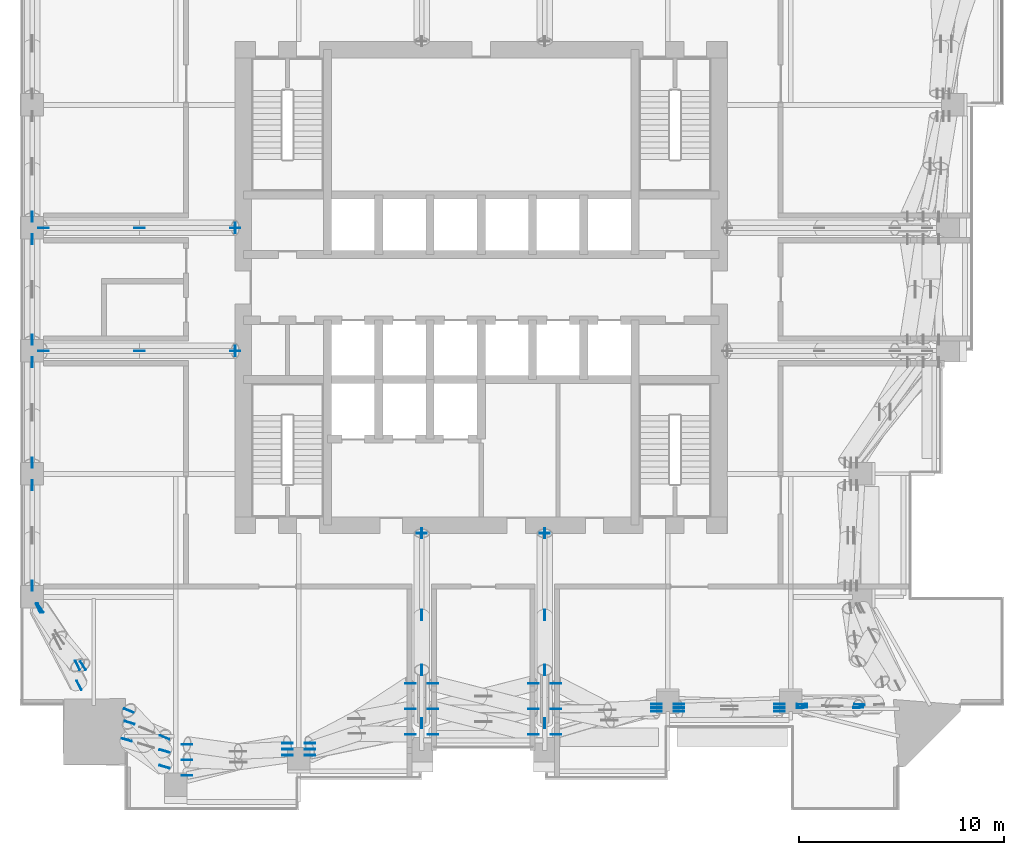
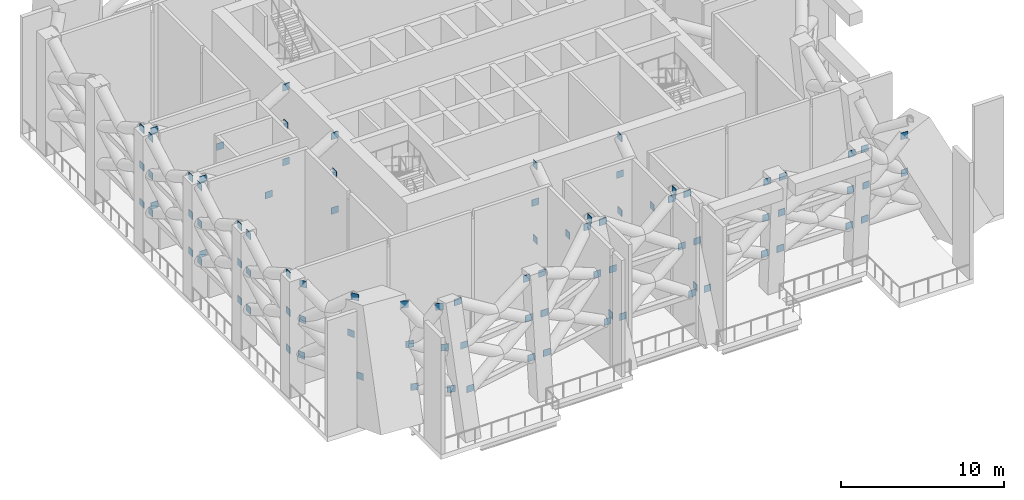
# One storey, part 12 of 19: 92 discrete accessories.
"""IFC4 building model written with IfcOpenShell, lengths in metres."""

import ifcopenshell
import ifcopenshell.guid

model = None  # the IFC model being written
_history = None  # IfcOwnerHistory: only IFC2X3 demands one
_inside = {}  # id of a spatial element -> (the spatial element, [elements in it])
_under = {}  # id of a project, library or spatial element -> (it, [spatial elements below it])
_declared = {}  # id of a project -> (the project, [libraries it declares])
_typed = {}  # id of a type object -> (the type object, [elements of that type])
_made_of = {}  # id of a material, layer set ... -> (it, [elements and type objects made of it])


def new_model(schema):
    """Start an empty IFC model of exactly this schema.

    Asked for "IFC4X3", IfcOpenShell would pick the latest addendum, in which some entities
    have other attributes; the version numbers below select the first issue.
    IFC2X3 requires an IfcOwnerHistory on every rooted entity: one is made here for all.
    """
    global model, _history
    if schema == "IFC4X3":
        model = ifcopenshell.file(schema_version=(4, 3, 0, 0))
    else:
        model = ifcopenshell.file(schema=schema)
    _inside.clear()
    _under.clear()
    _declared.clear()
    _typed.clear()
    _made_of.clear()
    _history = None
    if model.schema == "IFC2X3":
        org = make("IfcOrganization", Name="unknown")
        user = make(
            "IfcPersonAndOrganization",
            ThePerson=make("IfcPerson", FamilyName="unknown"),
            TheOrganization=org,
        )
        app = make(
            "IfcApplication",
            ApplicationDeveloper=org,
            Version="unknown",
            ApplicationFullName="unknown",
            ApplicationIdentifier="unknown",
        )
        _history = make(
            "IfcOwnerHistory",
            OwningUser=user,
            OwningApplication=app,
            ChangeAction="ADDED",
            CreationDate=0,
        )
    return model


def make(cls, **values):
    """One entity of the class cls with the attributes given. An attribute that is None is left unset."""
    return model.create_entity(
        cls, **{name: value for name, value in values.items() if value is not None}
    )


def rooted(cls, **values):
    """An entity with a GlobalId (a new one), such as an element, a storey or a relation."""
    return make(cls, GlobalId=ifcopenshell.guid.new(), OwnerHistory=_history, **values)


def si_unit(unit_type, name, prefix=None):
    """IfcSIUnit, for example si_unit("LENGTHUNIT", "METRE", prefix="MILLI")."""
    return make("IfcSIUnit", UnitType=unit_type, Prefix=prefix, Name=name)


def assignment(units):
    """IfcUnitAssignment: the units of a project."""
    return None if units is None else make("IfcUnitAssignment", Units=units)


def point(xyz):
    """IfcCartesianPoint."""
    return None if xyz is None else make("IfcCartesianPoint", Coordinates=xyz)


def direction(xyz):
    """IfcDirection."""
    return None if xyz is None else make("IfcDirection", DirectionRatios=xyz)


def frame(location, z_axis=None, x_axis=None):
    """IfcAxis2Placement3D, a coordinate frame: its origin and axes. An axis left out is left unset."""
    return make(
        "IfcAxis2Placement3D",
        Location=point(location),
        Axis=direction(z_axis),
        RefDirection=direction(x_axis),
    )


def frame_2d(location, x_axis=None):
    """IfcAxis2Placement2D, a coordinate frame in the plane: its origin and x axis."""
    return make(
        "IfcAxis2Placement2D", Location=point(location), RefDirection=direction(x_axis)
    )


def origin():
    """The frame at (0, 0, 0) with its axes left unset."""
    return frame((0.0, 0.0, 0.0))


def origin_2d():
    """The frame at (0, 0) in the plane with its x axis left unset."""
    return frame_2d((0.0, 0.0))


def place(relative_to, where):
    """IfcLocalPlacement: puts the frame where relative to a parent placement (None: the world)."""
    return make(
        "IfcLocalPlacement", PlacementRelTo=relative_to, RelativePlacement=where
    )


def context(
    kind, dimensions, precision=None, world=None, true_north=None, identifier=None
):
    """IfcGeometricRepresentationContext, for example the 3D "Model" context."""
    return make(
        "IfcGeometricRepresentationContext",
        ContextIdentifier=identifier,
        ContextType=kind,
        CoordinateSpaceDimension=dimensions,
        Precision=precision,
        WorldCoordinateSystem=world,
        TrueNorth=true_north,
    )


def subcontext(parent, identifier, kind, view, scale=None):
    """IfcGeometricRepresentationSubContext, for example "Body" below "Model"."""
    return make(
        "IfcGeometricRepresentationSubContext",
        ContextIdentifier=identifier,
        ContextType=kind,
        ParentContext=parent,
        TargetScale=scale,
        TargetView=view,
    )


def project(units=None, contexts=None):
    """IfcProject with its units and contexts."""
    return rooted(
        "IfcProject",
        Name="project",
        RepresentationContexts=contexts,
        UnitsInContext=assignment(units),
    )


def spatial(cls, under=None, at=None, **own):
    """A site, building, storey or space (cls), placed at a placement, below another one or the project."""
    s = rooted(cls, ObjectPlacement=at, **own)
    if under is not None:
        _under.setdefault(under.id(), (under, []))[1].append(s)
    return s


def profile(cls, at=None, kind="AREA", **sizes):
    """A parametric profile (cls). Its sizes go by their IFC names, for example OverallWidth=200.0."""
    return make(cls, ProfileType=kind, Position=at, **sizes)


def rectangle(**sizes):
    """IfcRectangleProfileDef."""
    return profile("IfcRectangleProfileDef", **sizes)


def extrude(swept, where, along, depth):
    """IfcExtrudedAreaSolid: the profile swept, set in the frame where, extruded along a direction by depth."""
    return make(
        "IfcExtrudedAreaSolid",
        SweptArea=swept,
        Position=where,
        ExtrudedDirection=direction(along),
        Depth=depth,
    )


def shape(context_of_items, identifier, shape_type, items):
    """IfcShapeRepresentation: the items that make up one representation, for example the "Body"."""
    return make(
        "IfcShapeRepresentation",
        ContextOfItems=context_of_items,
        RepresentationIdentifier=identifier,
        RepresentationType=shape_type,
        Items=items,
    )


def made_of(thing, what):
    """Note that an element or type object is made of a material, layer set ...; save() writes the relation."""
    if what is not None:
        _made_of.setdefault(what.id(), (what, []))[1].append(thing)
    return thing


def element(
    cls,
    number,
    at=None,
    inside=None,
    cuts=None,
    type_object=None,
    material=None,
    context=None,
    identifier="Body",
    shape_type=None,
    held_by="IfcProductDefinitionShape",
    body=None,
    shapes=None,
    **own,
):
    """One element of the class cls, such as IfcWall. Its Tag is "e" and its number.

    at: its placement. inside: the storey or other place that contains it. cuts: it is an
    opening in that element (IfcRelVoidsElement). A single representation is given by context,
    identifier, shape_type and body (its items); several are given by shapes. held_by: the class
    of the entity that holds the representations. save() writes the other relations.
    """
    e = rooted(cls, Tag="e%d" % number, ObjectPlacement=at, **own)
    if body is not None:
        shapes = [shape(context, identifier, shape_type, body)]
    if shapes is not None:
        e.Representation = make(held_by, Representations=shapes)
    if inside is not None:
        _inside.setdefault(inside.id(), (inside, []))[1].append(e)
    if cuts is not None:
        rooted(
            "IfcRelVoidsElement", RelatingBuildingElement=cuts, RelatedOpeningElement=e
        )
    if type_object is not None:
        _typed.setdefault(type_object.id(), (type_object, []))[1].append(e)
    return made_of(e, material)


def aggregate(whole, parts):
    """IfcRelAggregates: a whole, such as a stair, and the parts it consists of."""
    return rooted("IfcRelAggregates", RelatingObject=whole, RelatedObjects=parts)


def save(model, path):
    """Write the relations noted so far, then the file.

    IfcRelAggregates (storeys below a building ...), IfcRelContainedInSpatialStructure (elements
    in a storey), IfcRelDefinesByType, IfcRelAssociatesMaterial and IfcRelDeclares: one each for
    every whole, place, type object, material and project.
    """
    for whole, parts in _under.values():
        aggregate(whole, parts)
    for where, things in _inside.values():
        rooted(
            "IfcRelContainedInSpatialStructure",
            RelatedElements=things,
            RelatingStructure=where,
        )
    for kind, things in _typed.values():
        rooted("IfcRelDefinesByType", RelatedObjects=things, RelatingType=kind)
    for what, things in _made_of.values():
        rooted("IfcRelAssociatesMaterial", RelatedObjects=things, RelatingMaterial=what)
    for by, libraries in _declared.values():
        rooted("IfcRelDeclares", RelatingContext=by, RelatedDefinitions=libraries)
    model.write(path)


model = new_model("IFC4")

# Units and contexts
model_context = context("Model", 3, precision=1e-05, world=origin(), true_north=direction((0.0, 1.0)))
body_context = subcontext(model_context, "Body", "Model", "MODEL_VIEW")
ifc_project = project(units=[si_unit("LENGTHUNIT", "METRE"), si_unit("AREAUNIT", "SQUARE_METRE"), si_unit("VOLUMEUNIT", "CUBIC_METRE"), si_unit("PLANEANGLEUNIT", "RADIAN"), si_unit("MASSUNIT", "GRAM", prefix="KILO")], contexts=[model_context])

# Site, building, storey
site_placement = place(None, origin())
site = spatial("IfcSite", under=ifc_project, at=site_placement, CompositionType="ELEMENT")
building_placement = place(site_placement, origin())
building = spatial("IfcBuilding", under=site, at=building_placement, Name="Amberfall Residences", CompositionType="ELEMENT")
storey_placement = place(building_placement, frame((0.0, 0.0, 124.89990234375)))
storey = spatial("IfcBuildingStorey", under=building, at=storey_placement, Name="L34", CompositionType="ELEMENT", Elevation=124.89990234375)

# Discrete accessories
discrete_accessory_1_placement = place(storey_placement, frame((71.60009765625, 33.5, 5.4501953125), z_axis=(0.0, 0.0, 1.0), x_axis=(0.0, 1.0, 0.0)))
element("IfcDiscreteAccessory", 1, at=discrete_accessory_1_placement, inside=storey, Name="Cast-in plate L34", PredefinedType="BRACKET", context=body_context, shape_type="SweptSolid", body=[
    extrude(rectangle(XDim=0.0400390625, YDim=0.5, at=origin_2d()), origin(), (0.0, 0.0, 1.0), 0.5),
])
for number, where, z_axis, x_axis, name in (
    (2, (71.60009765625, 24.242919921875, 2.650146484375), (0.0, 0.0, 1.0), (0.0, 1.0, 0.0), "Connection plate L34"),
    (3, (71.60009765625, 29.520263671875, 5.4501953125), (0.0, 0.0, 1.0), (0.0, 1.0, 0.0), "Connection plate L34"),
    (4, (71.60009765625, 33.5, 2.650146484375), (0.0, 0.0, 1.0), (0.0, 1.0, 0.0), "Connection plate L34"),
    (5, (71.60009765625, 26.837890625, 8.25), (0.0, 0.0, 1.0), (0.0, 1.0, 0.0), "Connection plate L34"),
    (6, (71.60009765625, 33.5, 8.25), (0.0, 0.0, 1.0), (0.0, 1.0, 0.0), "Connection plate L34"),
):
    element("IfcDiscreteAccessory", number, at=place(storey_placement, frame(where, z_axis=z_axis, x_axis=x_axis)), inside=storey, Name=name, PredefinedType="BRACKET", context=body_context, shape_type="SweptSolid", body=[
        extrude(rectangle(XDim=0.5, YDim=0.0400390625, at=origin_2d()), origin(), (0.0, 0.0, 1.0), 0.5),
    ])
discrete_accessory_2_placement = place(storey_placement, frame((77.60009765625, 33.5, 5.4501953125), z_axis=(0.0, 0.0, 1.0), x_axis=(0.0, 1.0, 0.0)))
element("IfcDiscreteAccessory", 7, at=discrete_accessory_2_placement, inside=storey, Name="Cast-in plate L34", PredefinedType="BRACKET", context=body_context, shape_type="SweptSolid", body=[
    extrude(rectangle(XDim=0.0400390625, YDim=0.5, at=origin_2d()), origin(), (0.0, 0.0, 1.0), 0.5),
])
for number, where, z_axis, x_axis, name in (
    (8, (77.60009765625, 24.242919921875, 2.650146484375), (0.0, 0.0, 1.0), (0.0, 1.0, 0.0), "Connection plate L34"),
    (9, (77.60009765625, 29.520263671875, 5.4501953125), (0.0, 0.0, 1.0), (0.0, 1.0, 0.0), "Connection plate L34"),
    (10, (77.60009765625, 33.5, 2.650146484375), (0.0, 0.0, 1.0), (0.0, 1.0, 0.0), "Connection plate L34"),
    (11, (77.60009765625, 26.837890625, 8.25), (0.0, 0.0, 1.0), (0.0, 1.0, 0.0), "Connection plate L34"),
    (12, (77.60009765625, 33.5, 8.25), (0.0, 0.0, 1.0), (0.0, 1.0, 0.0), "Connection plate L34"),
):
    element("IfcDiscreteAccessory", number, at=place(storey_placement, frame(where, z_axis=z_axis, x_axis=x_axis)), inside=storey, Name=name, PredefinedType="BRACKET", context=body_context, shape_type="SweptSolid", body=[
        extrude(rectangle(XDim=0.5, YDim=0.0400390625, at=origin_2d()), origin(), (0.0, 0.0, 1.0), 0.5),
    ])
discrete_accessory_3_placement = place(storey_placement, frame((62.5, 42.39990234375, 5.4501953125), z_axis=(0.0, 0.0, 1.0), x_axis=(1.0, 0.0, 0.0)))
element("IfcDiscreteAccessory", 13, at=discrete_accessory_3_placement, inside=storey, Name="Cast-in plate L34", PredefinedType="BRACKET", context=body_context, shape_type="SweptSolid", body=[
    extrude(rectangle(XDim=0.0400390625, YDim=0.5, at=origin_2d()), origin(), (0.0, 0.0, 1.0), 0.5),
])
for number, where, z_axis, x_axis, name in (
    (14, (53.14990234375, 42.39990234375, 2.650146484375), (0.0, 0.0, 1.0), (1.0, 0.0, 0.0), "Connection plate L34"),
    (15, (57.824951171875, 42.39990234375, 5.4501953125), (0.0, 0.0, 1.0), (1.0, 0.0, 0.0), "Connection plate L34"),
    (16, (62.5, 42.39990234375, 2.650146484375), (0.0, 0.0, 1.0), (1.0, 0.0, 0.0), "Connection plate L34"),
    (17, (53.14990234375, 42.39990234375, 8.25), (0.0, 0.0, 1.0), (1.0, 0.0, 0.0), "Connection plate L34"),
    (18, (62.5, 42.39990234375, 8.25), (0.0, 0.0, 1.0), (1.0, 0.0, 0.0), "Connection plate L34"),
):
    element("IfcDiscreteAccessory", number, at=place(storey_placement, frame(where, z_axis=z_axis, x_axis=x_axis)), inside=storey, Name=name, PredefinedType="BRACKET", context=body_context, shape_type="SweptSolid", body=[
        extrude(rectangle(XDim=0.5, YDim=0.0400390625, at=origin_2d()), origin(), (0.0, 0.0, 1.0), 0.5),
    ])
discrete_accessory_4_placement = place(storey_placement, frame((62.5, 48.39990234375, 5.4501953125), z_axis=(0.0, 0.0, 1.0), x_axis=(1.0, 0.0, 0.0)))
element("IfcDiscreteAccessory", 19, at=discrete_accessory_4_placement, inside=storey, Name="Cast-in plate L34", PredefinedType="BRACKET", context=body_context, shape_type="SweptSolid", body=[
    extrude(rectangle(XDim=0.0400390625, YDim=0.5, at=origin_2d()), origin(), (0.0, 0.0, 1.0), 0.5),
])
for number, where, z_axis, x_axis, name in (
    (20, (53.14990234375, 48.39990234375, 2.650146484375), (0.0, 0.0, 1.0), (1.0, 0.0, 0.0), "Connection plate L34"),
    (21, (57.824951171875, 48.39990234375, 5.4501953125), (0.0, 0.0, 1.0), (1.0, 0.0, 0.0), "Connection plate L34"),
    (22, (62.5, 48.39990234375, 2.650146484375), (0.0, 0.0, 1.0), (1.0, 0.0, 0.0), "Connection plate L34"),
    (23, (53.14990234375, 48.39990234375, 8.25), (0.0, 0.0, 1.0), (1.0, 0.0, 0.0), "Connection plate L34"),
    (24, (62.5, 48.39990234375, 8.25), (0.0, 0.0, 1.0), (1.0, 0.0, 0.0), "Connection plate L34"),
    (25, (60.14990234375, 21.689697265625, 2.650146484375), (0.0, 0.0, 1.0), (1.0, 0.0, 0.0), "Connection plate L34"),
    (26, (65.050048828125, 22.96630859375, 5.4501953125), (0.0, 0.0, 1.0), (1.0, 0.0, 0.0), "Connection plate L34"),
    (27, (60.14990234375, 22.44677734375, 5.4501953125), (0.0, 0.0, 1.0), (1.0, 0.0, 0.0), "Connection plate L34"),
    (28, (65.050048828125, 22.678466796875, 2.650146484375), (0.0, 0.0, 1.0), (1.0, 0.0, 0.0), "Connection plate L34"),
    (29, (65.050048828125, 23.25439453125, 8.25), (0.0, 0.0, 1.0), (1.0, 0.0, 0.0), "Connection plate L34"),
    (30, (60.14990234375, 23.20361328125, 8.25), (0.0, 0.0, 1.0), (1.0, 0.0, 0.0), "Connection plate L34"),
    (31, (66.14990234375, 22.678466796875, 2.650146484375), (0.0, 0.0, 1.0), (1.0, 0.0, 0.0), "Connection plate L34"),
    (32, (71.050048828125, 24.93505859375, 5.4501953125), (0.0, 0.0, 1.0), (1.0, 0.0, 0.0), "Connection plate L34"),
    (33, (66.14990234375, 22.96630859375, 5.4501953125), (0.0, 0.0, 1.0), (1.0, 0.0, 0.0), "Connection plate L34"),
    (34, (71.050048828125, 23.69287109375, 2.650146484375), (0.0, 0.0, 1.0), (1.0, 0.0, 0.0), "Connection plate L34"),
    (35, (71.050048828125, 26.177001953125, 8.25), (0.0, 0.0, 1.0), (1.0, 0.0, 0.0), "Connection plate L34"),
    (36, (66.14990234375, 23.25439453125, 8.25), (0.0, 0.0, 1.0), (1.0, 0.0, 0.0), "Connection plate L34"),
    (37, (72.14990234375, 23.69287109375, 2.650146484375), (0.0, 0.0, 1.0), (1.0, 0.0, 0.0), "Connection plate L34"),
    (38, (77.050048828125, 24.93505859375, 5.4501953125), (0.0, 0.0, 1.0), (1.0, 0.0, 0.0), "Connection plate L34"),
    (39, (72.14990234375, 24.93505859375, 5.4501953125), (0.0, 0.0, 1.0), (1.0, 0.0, 0.0), "Connection plate L34"),
    (40, (77.050048828125, 23.69287109375, 2.650146484375), (0.0, 0.0, 1.0), (1.0, 0.0, 0.0), "Connection plate L34"),
    (41, (77.050048828125, 26.177001953125, 8.25), (0.0, 0.0, 1.0), (1.0, 0.0, 0.0), "Connection plate L34"),
    (42, (72.14990234375, 26.177001953125, 8.25), (0.0, 0.0, 1.0), (1.0, 0.0, 0.0), "Connection plate L34"),
    (43, (78.14990234375, 23.69287109375, 2.650146484375), (0.0, 0.0, 1.0), (1.0, 0.0, 0.0), "Connection plate L34"),
    (44, (83.050048828125, 24.99365234375, 5.4501953125), (0.0, 0.0, 1.0), (1.0, 0.0, 0.0), "Connection plate L34"),
    (45, (78.14990234375, 24.93505859375, 5.4501953125), (0.0, 0.0, 1.0), (1.0, 0.0, 0.0), "Connection plate L34"),
    (46, (83.050048828125, 25.159423828125, 2.650146484375), (0.0, 0.0, 1.0), (1.0, 0.0, 0.0), "Connection plate L34"),
    (47, (83.050048828125, 24.82763671875, 8.25), (0.0, 0.0, 1.0), (1.0, 0.0, 0.0), "Connection plate L34"),
    (48, (78.14990234375, 26.177001953125, 8.25), (0.0, 0.0, 1.0), (1.0, 0.0, 0.0), "Connection plate L34"),
    (49, (84.14990234375, 25.159423828125, 2.650146484375), (0.0, 0.0, 1.0), (1.0, 0.0, 0.0), "Connection plate L34"),
    (50, (89.050048828125, 24.99365234375, 5.4501953125), (0.0, 0.0, 1.0), (1.0, 0.0, 0.0), "Connection plate L34"),
    (51, (84.14990234375, 24.99365234375, 5.4501953125), (0.0, 0.0, 1.0), (1.0, 0.0, 0.0), "Connection plate L34"),
    (52, (89.050048828125, 25.159423828125, 2.650146484375), (0.0, 0.0, 1.0), (1.0, 0.0, 0.0), "Connection plate L34"),
    (53, (89.050048828125, 24.82763671875, 8.25), (0.0, 0.0, 1.0), (1.0, 0.0, 0.0), "Connection plate L34"),
    (54, (84.14990234375, 24.82763671875, 8.25), (0.0, 0.0, 1.0), (1.0, 0.0, 0.0), "Connection plate L34"),
    (55, (52.60009765625, 30.949951171875, 2.650146484375), (0.0, 0.0, 1.0), (0.0, 1.0, 0.0), "Connection plate L34"),
    (56, (52.60009765625, 35.85009765625, 5.4501953125), (0.0, 0.0, 1.0), (0.0, 1.0, 0.0), "Connection plate L34"),
    (57, (52.60009765625, 30.949951171875, 5.4501953125), (0.0, 0.0, 1.0), (0.0, 1.0, 0.0), "Connection plate L34"),
    (58, (52.60009765625, 35.85009765625, 2.650146484375), (0.0, 0.0, 1.0), (0.0, 1.0, 0.0), "Connection plate L34"),
    (59, (52.60009765625, 35.85009765625, 8.25), (0.0, 0.0, 1.0), (0.0, 1.0, 0.0), "Connection plate L34"),
    (60, (52.60009765625, 30.949951171875, 8.25), (0.0, 0.0, 1.0), (0.0, 1.0, 0.0), "Connection plate L34"),
    (61, (52.60009765625, 36.949951171875, 2.650146484375), (0.0, 0.0, 1.0), (0.0, 1.0, 0.0), "Connection plate L34"),
    (62, (52.60009765625, 41.85009765625, 5.4501953125), (0.0, 0.0, 1.0), (0.0, 1.0, 0.0), "Connection plate L34"),
    (63, (52.60009765625, 36.949951171875, 5.4501953125), (0.0, 0.0, 1.0), (0.0, 1.0, 0.0), "Connection plate L34"),
    (64, (52.60009765625, 41.85009765625, 2.650146484375), (0.0, 0.0, 1.0), (0.0, 1.0, 0.0), "Connection plate L34"),
    (65, (52.60009765625, 41.85009765625, 8.25), (0.0, 0.0, 1.0), (0.0, 1.0, 0.0), "Connection plate L34"),
    (66, (52.60009765625, 36.949951171875, 8.25), (0.0, 0.0, 1.0), (0.0, 1.0, 0.0), "Connection plate L34"),
    (67, (52.60009765625, 42.949951171875, 2.650146484375), (0.0, 0.0, 1.0), (0.0, 1.0, 0.0), "Connection plate L34"),
    (68, (52.60009765625, 47.85009765625, 5.4501953125), (0.0, 0.0, 1.0), (0.0, 1.0, 0.0), "Connection plate L34"),
    (69, (52.60009765625, 42.949951171875, 5.4501953125), (0.0, 0.0, 1.0), (0.0, 1.0, 0.0), "Connection plate L34"),
    (70, (52.60009765625, 47.85009765625, 2.650146484375), (0.0, 0.0, 1.0), (0.0, 1.0, 0.0), "Connection plate L34"),
    (71, (52.60009765625, 47.85009765625, 8.25), (0.0, 0.0, 1.0), (0.0, 1.0, 0.0), "Connection plate L34"),
    (72, (52.60009765625, 42.949951171875, 8.25), (0.0, 0.0, 1.0), (0.0, 1.0, 0.0), "Connection plate L34"),
    (73, (52.60009765625, 48.949951171875, 2.650146484375), (0.0, 0.0, 1.0), (0.0, 1.0, 0.0), "Connection plate L34"),
    (74, (52.60009765625, 48.949951171875, 5.4501953125), (0.0, 0.0, 1.0), (0.0, 1.0, 0.0), "Connection plate L34"),
    (75, (52.60009765625, 48.949951171875, 8.25), (0.0, 0.0, 1.0), (0.0, 1.0, 0.0), "Connection plate L34"),
    (76, (90.14990234375, 24.99658203125, 5.396484375), (0.0, 0.0, 1.0), (-0.99913448503, -0.041596644372, 0.0), "Connection plate L34"),
    (77, (92.887939453125, 24.99658203125, 5.396484375), (0.0, 0.0, 1.0), (-0.99913448503, -0.041596644372, 0.0), "Connection plate L34"),
    (78, (90.14990234375, 25.153564453125, 2.75), (0.0, 0.0, 1.0), (-0.99913448503, -0.041596644372, 0.0), "Connection plate L34"),
    (79, (90.14990234375, 25.14453125, 8.04296875), (0.0, 0.0, 1.0), (-0.998544211419, 0.053939390437, 0.0), "Connection plate L34"),
    (80, (92.952880859375, 25.14453125, 8.04296875), (0.0, 0.0, 1.0), (-0.998544211419, 0.053939390437, 0.0), "Connection plate L34"),
    (81, (57.2158203125, 23.42431640625, 2.75), (0.0, 0.0, 1.0), (0.95862122111, -0.284684657889, 0.0), "Connection plate L34"),
    (82, (59.050048828125, 22.879638671875, 5.396484375), (0.0, 0.0, 1.0), (0.95862122111, -0.284684657889, 0.0), "Connection plate L34"),
    (83, (57.35009765625, 24.262451171875, 5.396484375), (0.0, 0.0, 1.0), (0.95862122111, -0.284684657889, 0.0), "Connection plate L34"),
    (84, (59.050048828125, 22.110595703125, 2.75), (0.0, 0.0, 1.0), (0.95862122111, -0.284684657889, 0.0), "Connection plate L34"),
    (85, (59.050048828125, 23.548583984375, 8.04296875), (0.0, 0.0, 1.0), (0.922018636035, -0.387145495653, 0.0), "Connection plate L34"),
    (86, (57.3095703125, 24.85400390625, 8.04296875), (0.0, 0.0, 1.0), (0.922018636035, -0.387145495653, 0.0), "Connection plate L34"),
    (87, (54.88134765625, 26.085205078125, 2.75), (0.0, 0.0, 1.0), (-0.453834982851, 0.891085746907, 0.0), "Connection plate L34"),
    (88, (52.964111328125, 29.85009765625, 5.396484375), (0.0, 0.0, 1.0), (-0.453834982851, 0.891085746907, 0.0), "Connection plate L34"),
    (89, (54.806396484375, 27.065673828125, 5.396484375), (0.0, 0.0, 1.0), (-0.453834982851, 0.891085746907, 0.0), "Connection plate L34"),
    (90, (52.890869140625, 29.85009765625, 2.75), (0.0, 0.0, 1.0), (-0.453834982851, 0.891085746907, 0.0), "Connection plate L34"),
    (91, (53.006103515625, 29.85009765625, 8.04296875), (0.0, 0.0, 1.0), (-0.542939962677, 0.839771514716, 0.0), "Connection plate L34"),
    (92, (55.07421875, 27.05029296875, 8.04296875), (0.0, 0.0, 1.0), (-0.542939962677, 0.839771514716, 0.0), "Connection plate L34"),
):
    element("IfcDiscreteAccessory", number, at=place(storey_placement, frame(where, z_axis=z_axis, x_axis=x_axis)), inside=storey, Name=name, PredefinedType="BRACKET", context=body_context, shape_type="SweptSolid", body=[
        extrude(rectangle(XDim=0.5, YDim=0.0400390625, at=origin_2d()), origin(), (0.0, 0.0, 1.0), 0.5),
    ])

save(model, "model.ifc")
